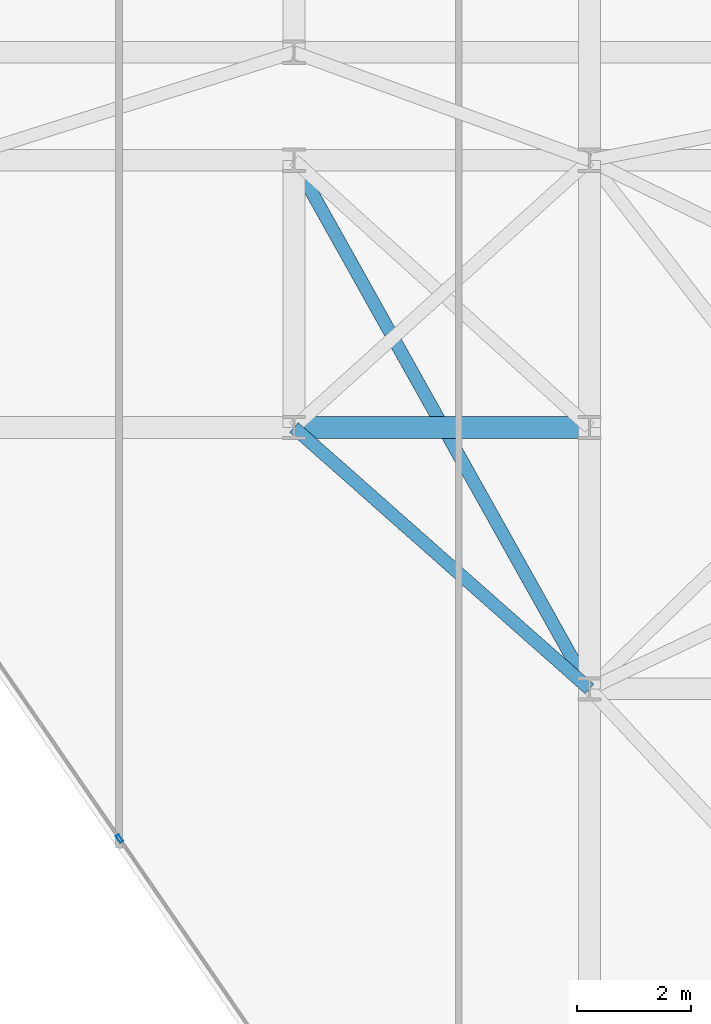
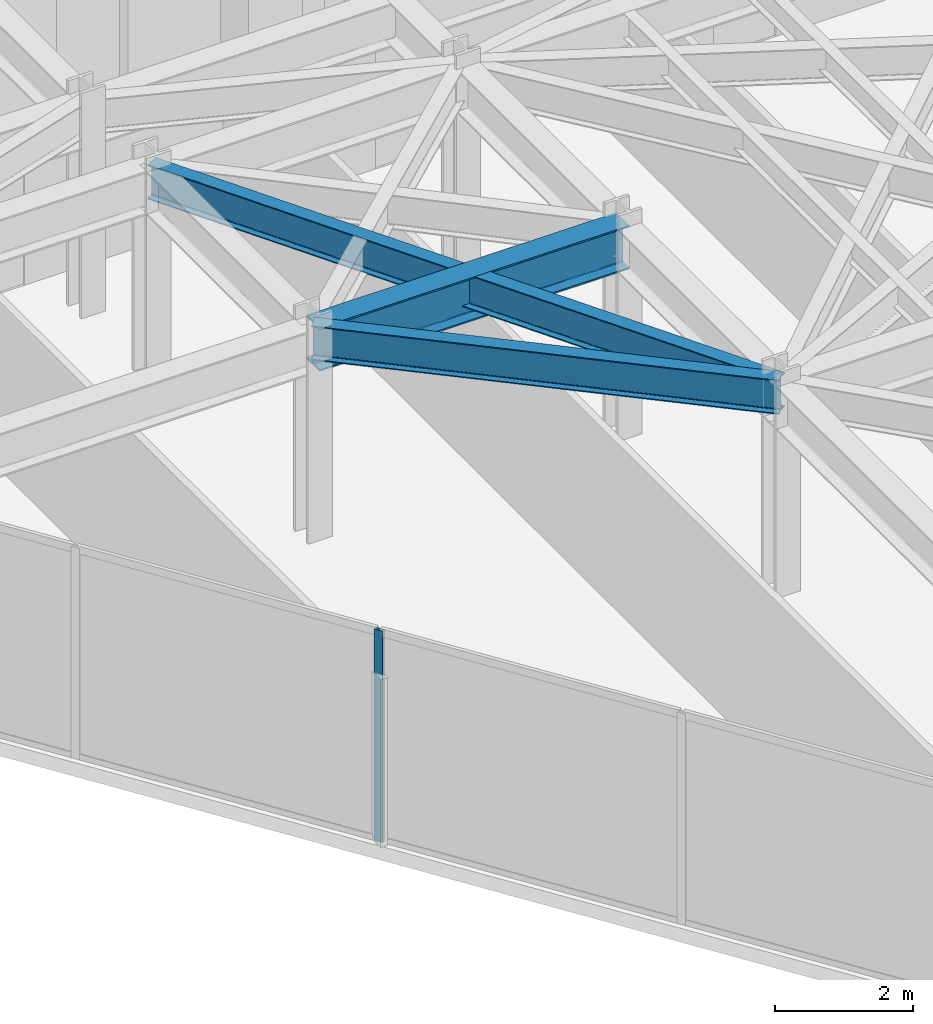
# One storey, part 18 of 26: 3 beams, 1 member, 1 element without a shape of its own.
"""IFC4 building model written with IfcOpenShell, lengths in metres."""

from ifc_helpers import new_model, si_unit, direction, frame, origin, origin_2d, place, context, subcontext, project, spatial, hollow_rectangle, i_section, extrude, material, layer, layer_set, material_profile, profile_set, type_object, element, aggregate, save


model = new_model("IFC4")

# Units and contexts
model_context = context("Model", 3, precision=1e-05, world=origin(), true_north=direction((0.0, 1.0)))
body_context = subcontext(model_context, "Body", "Model", "MODEL_VIEW")
ifc_project = project(units=[si_unit("LENGTHUNIT", "METRE"), si_unit("AREAUNIT", "SQUARE_METRE"), si_unit("VOLUMEUNIT", "CUBIC_METRE"), si_unit("PLANEANGLEUNIT", "RADIAN"), si_unit("MASSUNIT", "GRAM", prefix="KILO")], contexts=[model_context])

# Site, building, storey
site_placement = place(None, origin())
site = spatial("IfcSite", under=ifc_project, at=site_placement, CompositionType="ELEMENT")
building_placement = place(site_placement, origin())
building = spatial("IfcBuilding", under=site, at=building_placement, Name="Kravanh Interchange Tower", CompositionType="ELEMENT")
storey_placement = place(building_placement, frame((0.0, 0.0, 172.5)))
storey = spatial("IfcBuildingStorey", under=building, at=storey_placement, Name="L41", CompositionType="ELEMENT", Elevation=172.5)

# Curtain wall, member
ifc_material_1 = material(Name="Anodised Bronze Aluminium", Category="aluminium")
ifc_layer = layer(ifc_material_1, 0.179931640625)
ifc_layer_set = layer_set([ifc_layer], Name="Unitised Curtain Wall System CW-Z3 Upper Office")
curtain_wall_type = type_object("IfcCurtainWallType", Name="Unitised Curtain Wall System CW-Z3 Upper Office", PredefinedType="NOTDEFINED", material=ifc_layer_set)
curtain_wall_placement = place(storey_placement, origin())
curtain_wall = element("IfcCurtainWall", 1, at=curtain_wall_placement, inside=storey, type_object=curtain_wall_type, Name="L41 Unitised Curtain Wall CW-L41-04", PredefinedType="NOTDEFINED")
ifc_material_2 = material(Name="Anodised Bronze Aluminium", Category="aluminium")
ifc_material_profile_1 = material_profile(ifc_material_2, hollow_rectangle(XDim=0.06005859375, YDim=0.139892578125, WallThickness=0.00390625, at=origin_2d()), Name="ALU60X140X4")
ifc_profile_set_1 = profile_set([ifc_material_profile_1], Name="Anodised Bronze Aluminium")
member_type = type_object("IfcMemberType", Name="Curtain Wall Mullion ALU60X140X4 Bronze", PredefinedType="MULLION", material=ifc_profile_set_1)
member_placement = place(storey_placement, frame((47.7314453125, 19.56591796875, 0.0), z_axis=(0.0, 0.0, 1.0), x_axis=(-0.824042223035, -0.566528388217, 0.0)))
member = element("IfcMember", 2, at=member_placement, type_object=member_type, Name="CW-Z3 mullion 3", PredefinedType="MULLION", context=body_context, shape_type="SweptSolid", body=[
    extrude(hollow_rectangle(XDim=0.06005859375, YDim=0.139892578125, WallThickness=0.00390625, at=origin_2d()), origin(), (0.0, 0.0, 1.0), 3.7548828125),
])
aggregate(curtain_wall, [member])

# Beams
ifc_material_3 = material(Name="Structural Steel S355", Category="steel")
ifc_material_profile_2 = material_profile(ifc_material_3, i_section(OverallWidth=0.381103515625, OverallDepth=0.77294921875, WebThickness=0.0166015625, FlangeThickness=0.027099609375, FilletRadius=0.02490234375, at=origin_2d()), Name="W30X173")
ifc_profile_set_2 = profile_set([ifc_material_profile_2], Name="Structural Steel S355")
beam_type_1 = type_object("IfcBeamType", Name="Floor Beam W30X173 Structural Steel S355", PredefinedType="BEAM", material=ifc_profile_set_2)
beam_1_placement = place(storey_placement, frame((50.800048828125, 26.800048828125, 3.368408203125), z_axis=(1.0, 0.0, 0.0), x_axis=(0.0, 1.0, 0.0)))
element("IfcBeam", 3, at=beam_1_placement, inside=storey, type_object=beam_type_1, Name="L41 Primary Floor Girder 50", PredefinedType="BEAM", context=body_context, shape_type="SweptSolid", body=[
    extrude(i_section(OverallWidth=0.381103515625, OverallDepth=0.77294921875, WebThickness=0.0166015625, FlangeThickness=0.027099609375, FilletRadius=0.02490234375, at=origin_2d()), origin(), (0.0, 0.0, 1.0), 5.199951171875),
])
ifc_material_4 = material(Name="Structural Steel S355", Category="steel")
ifc_material_profile_3 = material_profile(ifc_material_4, i_section(OverallWidth=0.22802734375, OverallDepth=0.60791015625, WebThickness=0.01123046875, FlangeThickness=0.017333984375, FilletRadius=0.02197265625, at=origin_2d()), Name="W24X76")
ifc_profile_set_3 = profile_set([ifc_material_profile_3], Name="Structural Steel S355")
beam_type_2 = type_object("IfcBeamType", Name="Floor Spandrel W24X76 Structural Steel S355", PredefinedType="SPANDREL", material=ifc_profile_set_3)
beam_2_placement = place(storey_placement, frame((50.800048828125, 26.800048828125, 3.450927734375), z_axis=(0.74898649432, -0.662585263439, 0.0), x_axis=(0.662585263439, 0.74898649432, 0.0)))
element("IfcBeam", 4, at=beam_2_placement, inside=storey, type_object=beam_type_2, Name="L41 Perimeter Spandrel 51", PredefinedType="SPANDREL", context=body_context, shape_type="SweptSolid", body=[
    extrude(i_section(OverallWidth=0.22802734375, OverallDepth=0.60791015625, WebThickness=0.01123046875, FlangeThickness=0.017333984375, FilletRadius=0.02197265625, at=origin_2d()), origin(), (0.0, 0.0, 1.0), 6.942626953125),
])
beam_3_placement = place(storey_placement, frame((50.800048828125, 31.5, 3.450927734375), z_axis=(0.488026248114, -0.872828952975, 0.0), x_axis=(0.872828952975, 0.488026248114, 0.0)))
element("IfcBeam", 5, at=beam_3_placement, inside=storey, type_object=beam_type_2, Name="L41 Perimeter Spandrel 78", PredefinedType="SPANDREL", context=body_context, shape_type="SweptSolid", body=[
    extrude(i_section(OverallWidth=0.22802734375, OverallDepth=0.60791015625, WebThickness=0.01123046875, FlangeThickness=0.017333984375, FilletRadius=0.02197265625, at=origin_2d()), origin(), (0.0, 0.0, 1.0), 10.655029296875),
])

save(model, "model.ifc")
